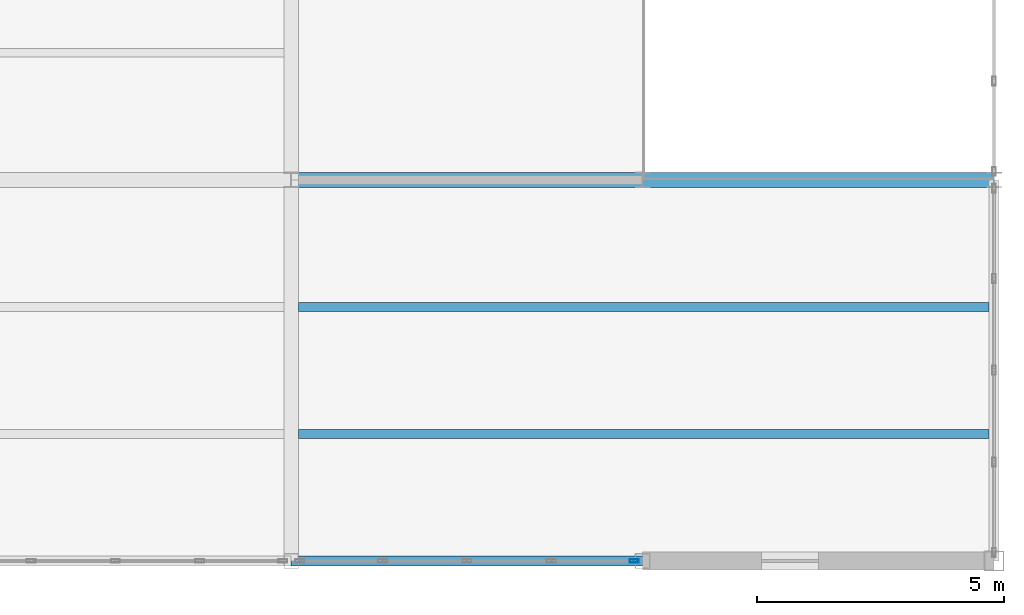
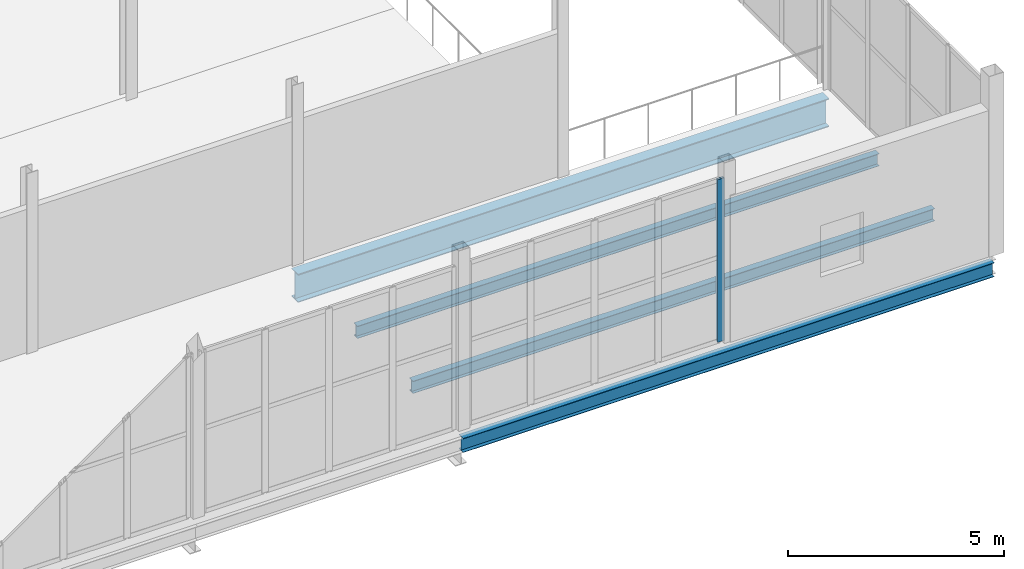
# One storey, part 120 of 218: 4 beams, 1 member, 1 element without a shape of its own.
"""IFC4 building model written with IfcOpenShell, lengths in metres."""

import ifcopenshell
import ifcopenshell.guid

model = None  # the IFC model being written
_history = None  # IfcOwnerHistory: only IFC2X3 demands one
_inside = {}  # id of a spatial element -> (the spatial element, [elements in it])
_under = {}  # id of a project, library or spatial element -> (it, [spatial elements below it])
_declared = {}  # id of a project -> (the project, [libraries it declares])
_typed = {}  # id of a type object -> (the type object, [elements of that type])
_made_of = {}  # id of a material, layer set ... -> (it, [elements and type objects made of it])


def new_model(schema):
    """Start an empty IFC model of exactly this schema.

    Asked for "IFC4X3", IfcOpenShell would pick the latest addendum, in which some entities
    have other attributes; the version numbers below select the first issue.
    IFC2X3 requires an IfcOwnerHistory on every rooted entity: one is made here for all.
    """
    global model, _history
    if schema == "IFC4X3":
        model = ifcopenshell.file(schema_version=(4, 3, 0, 0))
    else:
        model = ifcopenshell.file(schema=schema)
    _inside.clear()
    _under.clear()
    _declared.clear()
    _typed.clear()
    _made_of.clear()
    _history = None
    if model.schema == "IFC2X3":
        org = make("IfcOrganization", Name="unknown")
        user = make(
            "IfcPersonAndOrganization",
            ThePerson=make("IfcPerson", FamilyName="unknown"),
            TheOrganization=org,
        )
        app = make(
            "IfcApplication",
            ApplicationDeveloper=org,
            Version="unknown",
            ApplicationFullName="unknown",
            ApplicationIdentifier="unknown",
        )
        _history = make(
            "IfcOwnerHistory",
            OwningUser=user,
            OwningApplication=app,
            ChangeAction="ADDED",
            CreationDate=0,
        )
    return model


def make(cls, **values):
    """One entity of the class cls with the attributes given. An attribute that is None is left unset."""
    return model.create_entity(
        cls, **{name: value for name, value in values.items() if value is not None}
    )


def rooted(cls, **values):
    """An entity with a GlobalId (a new one), such as an element, a storey or a relation."""
    return make(cls, GlobalId=ifcopenshell.guid.new(), OwnerHistory=_history, **values)


def si_unit(unit_type, name, prefix=None):
    """IfcSIUnit, for example si_unit("LENGTHUNIT", "METRE", prefix="MILLI")."""
    return make("IfcSIUnit", UnitType=unit_type, Prefix=prefix, Name=name)


def assignment(units):
    """IfcUnitAssignment: the units of a project."""
    return None if units is None else make("IfcUnitAssignment", Units=units)


def point(xyz):
    """IfcCartesianPoint."""
    return None if xyz is None else make("IfcCartesianPoint", Coordinates=xyz)


def direction(xyz):
    """IfcDirection."""
    return None if xyz is None else make("IfcDirection", DirectionRatios=xyz)


def frame(location, z_axis=None, x_axis=None):
    """IfcAxis2Placement3D, a coordinate frame: its origin and axes. An axis left out is left unset."""
    return make(
        "IfcAxis2Placement3D",
        Location=point(location),
        Axis=direction(z_axis),
        RefDirection=direction(x_axis),
    )


def frame_2d(location, x_axis=None):
    """IfcAxis2Placement2D, a coordinate frame in the plane: its origin and x axis."""
    return make(
        "IfcAxis2Placement2D", Location=point(location), RefDirection=direction(x_axis)
    )


def origin():
    """The frame at (0, 0, 0) with its axes left unset."""
    return frame((0.0, 0.0, 0.0))


def origin_2d():
    """The frame at (0, 0) in the plane with its x axis left unset."""
    return frame_2d((0.0, 0.0))


def place(relative_to, where):
    """IfcLocalPlacement: puts the frame where relative to a parent placement (None: the world)."""
    return make(
        "IfcLocalPlacement", PlacementRelTo=relative_to, RelativePlacement=where
    )


def context(
    kind, dimensions, precision=None, world=None, true_north=None, identifier=None
):
    """IfcGeometricRepresentationContext, for example the 3D "Model" context."""
    return make(
        "IfcGeometricRepresentationContext",
        ContextIdentifier=identifier,
        ContextType=kind,
        CoordinateSpaceDimension=dimensions,
        Precision=precision,
        WorldCoordinateSystem=world,
        TrueNorth=true_north,
    )


def subcontext(parent, identifier, kind, view, scale=None):
    """IfcGeometricRepresentationSubContext, for example "Body" below "Model"."""
    return make(
        "IfcGeometricRepresentationSubContext",
        ContextIdentifier=identifier,
        ContextType=kind,
        ParentContext=parent,
        TargetScale=scale,
        TargetView=view,
    )


def project(units=None, contexts=None):
    """IfcProject with its units and contexts."""
    return rooted(
        "IfcProject",
        Name="project",
        RepresentationContexts=contexts,
        UnitsInContext=assignment(units),
    )


def spatial(cls, under=None, at=None, **own):
    """A site, building, storey or space (cls), placed at a placement, below another one or the project."""
    s = rooted(cls, ObjectPlacement=at, **own)
    if under is not None:
        _under.setdefault(under.id(), (under, []))[1].append(s)
    return s


def profile(cls, at=None, kind="AREA", **sizes):
    """A parametric profile (cls). Its sizes go by their IFC names, for example OverallWidth=200.0."""
    return make(cls, ProfileType=kind, Position=at, **sizes)


def hollow_rectangle(**sizes):
    """IfcRectangleHollowProfileDef."""
    return profile("IfcRectangleHollowProfileDef", **sizes)


def i_section(**sizes):
    """IfcIShapeProfileDef."""
    return profile("IfcIShapeProfileDef", **sizes)


def extrude(swept, where, along, depth):
    """IfcExtrudedAreaSolid: the profile swept, set in the frame where, extruded along a direction by depth."""
    return make(
        "IfcExtrudedAreaSolid",
        SweptArea=swept,
        Position=where,
        ExtrudedDirection=direction(along),
        Depth=depth,
    )


def shape(context_of_items, identifier, shape_type, items):
    """IfcShapeRepresentation: the items that make up one representation, for example the "Body"."""
    return make(
        "IfcShapeRepresentation",
        ContextOfItems=context_of_items,
        RepresentationIdentifier=identifier,
        RepresentationType=shape_type,
        Items=items,
    )


def material(Name=None, Category=None):
    """IfcMaterial."""
    return make("IfcMaterial", Name=Name, Category=Category)


def material_profile(
    of_material, cross_section, Name=None, Category=None, Priority=None
):
    """IfcMaterialProfile: a cross section and its material."""
    return make(
        "IfcMaterialProfile",
        Name=Name,
        Material=of_material,
        Profile=cross_section,
        Priority=Priority,
        Category=Category,
    )


def profile_set(profiles, Name=None, composite=None):
    """IfcMaterialProfileSet."""
    return make(
        "IfcMaterialProfileSet",
        Name=Name,
        MaterialProfiles=profiles,
        CompositeProfile=composite,
    )


def made_of(thing, what):
    """Note that an element or type object is made of a material, layer set ...; save() writes the relation."""
    if what is not None:
        _made_of.setdefault(what.id(), (what, []))[1].append(thing)
    return thing


def type_object(cls, material=None, **own):
    """A type object (cls), such as IfcWallType, which elements share."""
    return made_of(rooted(cls, **own), material)


def element(
    cls,
    number,
    at=None,
    inside=None,
    cuts=None,
    type_object=None,
    material=None,
    context=None,
    identifier="Body",
    shape_type=None,
    held_by="IfcProductDefinitionShape",
    body=None,
    shapes=None,
    **own,
):
    """One element of the class cls, such as IfcWall. Its Tag is "e" and its number.

    at: its placement. inside: the storey or other place that contains it. cuts: it is an
    opening in that element (IfcRelVoidsElement). A single representation is given by context,
    identifier, shape_type and body (its items); several are given by shapes. held_by: the class
    of the entity that holds the representations. save() writes the other relations.
    """
    e = rooted(cls, Tag="e%d" % number, ObjectPlacement=at, **own)
    if body is not None:
        shapes = [shape(context, identifier, shape_type, body)]
    if shapes is not None:
        e.Representation = make(held_by, Representations=shapes)
    if inside is not None:
        _inside.setdefault(inside.id(), (inside, []))[1].append(e)
    if cuts is not None:
        rooted(
            "IfcRelVoidsElement", RelatingBuildingElement=cuts, RelatedOpeningElement=e
        )
    if type_object is not None:
        _typed.setdefault(type_object.id(), (type_object, []))[1].append(e)
    return made_of(e, material)


def aggregate(whole, parts):
    """IfcRelAggregates: a whole, such as a stair, and the parts it consists of."""
    return rooted("IfcRelAggregates", RelatingObject=whole, RelatedObjects=parts)


def save(model, path):
    """Write the relations noted so far, then the file.

    IfcRelAggregates (storeys below a building ...), IfcRelContainedInSpatialStructure (elements
    in a storey), IfcRelDefinesByType, IfcRelAssociatesMaterial and IfcRelDeclares: one each for
    every whole, place, type object, material and project.
    """
    for whole, parts in _under.values():
        aggregate(whole, parts)
    for where, things in _inside.values():
        rooted(
            "IfcRelContainedInSpatialStructure",
            RelatedElements=things,
            RelatingStructure=where,
        )
    for kind, things in _typed.values():
        rooted("IfcRelDefinesByType", RelatedObjects=things, RelatingType=kind)
    for what, things in _made_of.values():
        rooted("IfcRelAssociatesMaterial", RelatedObjects=things, RelatingMaterial=what)
    for by, libraries in _declared.values():
        rooted("IfcRelDeclares", RelatingContext=by, RelatedDefinitions=libraries)
    model.write(path)


model = new_model("IFC4")

# Units and contexts
model_context = context("Model", 3, precision=1e-05, world=origin(), true_north=direction((0.0, 1.0)))
body_context = subcontext(model_context, "Body", "Model", "MODEL_VIEW")
ifc_project = project(units=[si_unit("LENGTHUNIT", "METRE"), si_unit("AREAUNIT", "SQUARE_METRE"), si_unit("VOLUMEUNIT", "CUBIC_METRE"), si_unit("PLANEANGLEUNIT", "RADIAN"), si_unit("MASSUNIT", "GRAM", prefix="KILO")], contexts=[model_context])

# Site, building, storey
site_placement = place(None, origin())
site = spatial("IfcSite", under=ifc_project, at=site_placement, CompositionType="ELEMENT")
building_placement = place(site_placement, origin())
building = spatial("IfcBuilding", under=site, at=building_placement, Name="Kazenagashi Tramway Depot", CompositionType="ELEMENT")
storey_placement = place(building_placement, frame((0.0, 0.0, 6.0)))
storey = spatial("IfcBuildingStorey", under=building, at=storey_placement, Name="L02", CompositionType="ELEMENT", Elevation=6.0)

# Beams
ifc_material_1 = material(Name="Steel SN490B", Category="steel")
ifc_material_profile_1 = material_profile(ifc_material_1, i_section(OverallWidth=0.3, OverallDepth=0.8, WebThickness=0.014, FlangeThickness=0.026, at=origin_2d()), Name="H-800x300x14x26")
ifc_profile_set_1 = profile_set([ifc_material_profile_1], Name="Steel SN490B")
beam_type_1 = type_object("IfcBeamType", Name="G-07", PredefinedType="BEAM", material=ifc_profile_set_1)
beam_1_placement = place(storey_placement, frame((181.8, 7.7, -0.68), z_axis=(1.0, 0.0, 0.0), x_axis=(0.0, 1.0, 0.0)))
element("IfcBeam", 1, at=beam_1_placement, inside=storey, type_object=beam_type_1, Name="Beam G-07 BM-1194", PredefinedType="BEAM", context=body_context, shape_type="SweptSolid", body=[
    extrude(i_section(OverallWidth=0.3, OverallDepth=0.8, WebThickness=0.014, FlangeThickness=0.026, at=origin_2d()), origin(), (0.0, 0.0, 1.0), 14.2),
])
ifc_material_2 = material(Name="Steel SN400B", Category="steel")
ifc_material_profile_2 = material_profile(ifc_material_2, i_section(OverallWidth=0.175, OverallDepth=0.35, WebThickness=0.007, FlangeThickness=0.011, at=origin_2d()), Name="H-350x175x7x11")
ifc_profile_set_2 = profile_set([ifc_material_profile_2], Name="Steel SN400B")
beam_type_2 = type_object("IfcBeamType", Name="J-01", PredefinedType="JOIST", material=ifc_profile_set_2)
for number, where, z_axis, x_axis, name in (
    (2, (181.95, 2.567, -0.455), (1.0, 0.0, 0.0), (0.0, 1.0, 0.0), "Beam J-01 BM-1338"),
    (3, (181.95, 5.133, -0.455), (1.0, 0.0, 0.0), (0.0, 1.0, 0.0), "Beam J-01 BM-1339"),
):
    element("IfcBeam", number, at=place(storey_placement, frame(where, z_axis=z_axis, x_axis=x_axis)), inside=storey, type_object=beam_type_2, Name=name, PredefinedType="JOIST", context=body_context, shape_type="SweptSolid", body=[
        extrude(i_section(OverallWidth=0.175, OverallDepth=0.35, WebThickness=0.007, FlangeThickness=0.011, at=origin_2d()), origin(), (0.0, 0.0, 1.0), 13.95),
    ])

# Curtain wall, member
ifc_material_3 = material(Name="Anodised Aluminium and Low-E Glazing", Category="aluminium")
curtain_wall_type = type_object("IfcCurtainWallType", Name="CW-22", PredefinedType="USERDEFINED", material=ifc_material_3)
curtain_wall_placement = place(storey_placement, origin())
curtain_wall = element("IfcCurtainWall", 4, at=curtain_wall_placement, inside=storey, type_object=curtain_wall_type, Name="Industrial Glazed Screen CW-22 CW-0124", ObjectType="GLAZED SCREEN", PredefinedType="USERDEFINED")
ifc_material_4 = material(Name="Anodised Aluminium", Category="aluminium")
ifc_material_profile_3 = material_profile(ifc_material_4, hollow_rectangle(XDim=0.07, YDim=0.18, WallThickness=0.005, at=origin_2d()), Name="RHS-180x70x5")
ifc_profile_set_3 = profile_set([ifc_material_profile_3], Name="Anodised Aluminium")
member_type = type_object("IfcMemberType", Name="ML-02", PredefinedType="MULLION", material=ifc_profile_set_3)
member_placement = place(storey_placement, frame((188.73, 0.0, 0.0), z_axis=(0.0, 0.0, 1.0), x_axis=(0.0, 1.0, 0.0)))
member = element("IfcMember", 5, at=member_placement, type_object=member_type, Name="CW-22 mullion 5", PredefinedType="MULLION", context=body_context, shape_type="SweptSolid", body=[
    extrude(hollow_rectangle(XDim=0.07, YDim=0.18, WallThickness=0.005, at=origin_2d()), origin(), (0.0, 0.0, 1.0), 4.6),
])
aggregate(curtain_wall, [member])

# Beam
ifc_material_profile_4 = material_profile(ifc_material_1, i_section(OverallWidth=0.2, OverallDepth=0.4, WebThickness=0.008, FlangeThickness=0.013, at=origin_2d()), Name="H-400x200x8x13")
ifc_profile_set_4 = profile_set([ifc_material_profile_4], Name="Steel SN490B")
beam_type_3 = type_object("IfcBeamType", Name="SP-04", PredefinedType="SPANDREL", material=ifc_profile_set_4)
beam_2_placement = place(storey_placement, frame((181.8, 0.0, -0.48), z_axis=(1.0, 0.0, 0.0), x_axis=(0.0, 1.0, 0.0)))
element("IfcBeam", 6, at=beam_2_placement, inside=storey, type_object=beam_type_3, Name="Beam SP-04 BM-1189", PredefinedType="SPANDREL", context=body_context, shape_type="SweptSolid", body=[
    extrude(i_section(OverallWidth=0.2, OverallDepth=0.4, WebThickness=0.008, FlangeThickness=0.013, at=origin_2d()), origin(), (0.0, 0.0, 1.0), 14.2),
])

save(model, "model.ifc")
